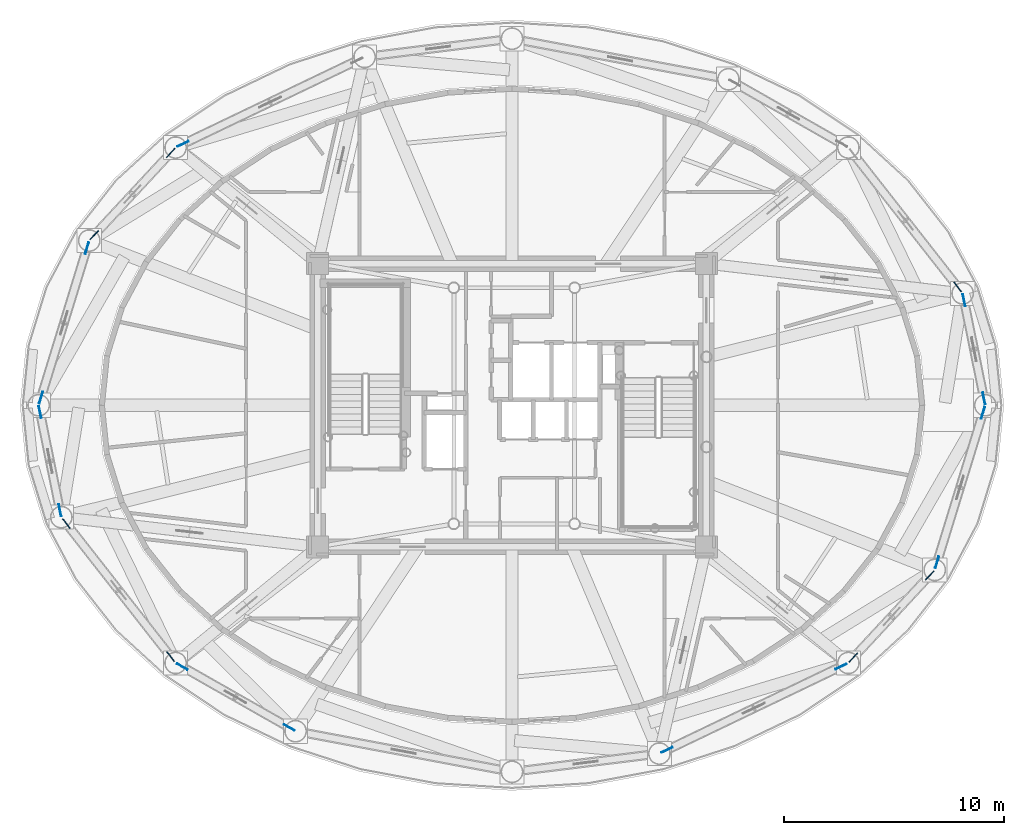
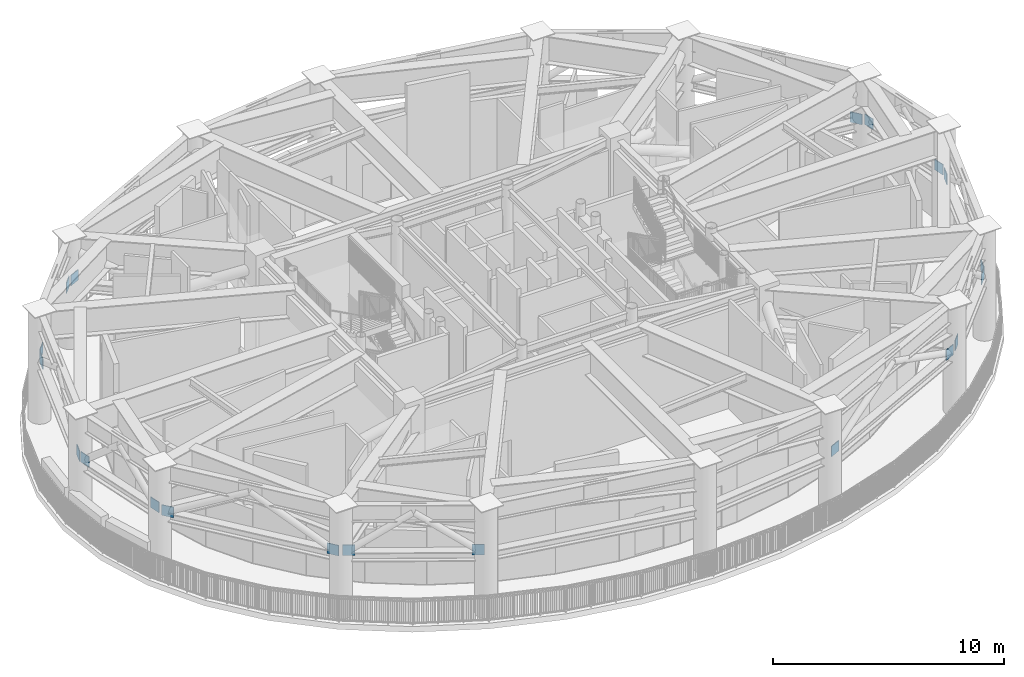
# One storey, part 6 of 17: 20 plates.
"""IFC4 building model written with IfcOpenShell, lengths in metres."""

from ifc_helpers import new_model, si_unit, direction, frame, origin, origin_2d, place, context, subcontext, project, spatial, rectangle, extrude, source, transform, mapped, material, layer, layer_set, type_object, element, save


model = new_model("IFC4")

# Units and contexts
model_context = context("Model", 3, precision=1e-05, world=origin(), true_north=direction((0.0, 1.0)))
body_context = subcontext(model_context, "Body", "Model", "MODEL_VIEW")
ifc_project = project(units=[si_unit("LENGTHUNIT", "METRE"), si_unit("AREAUNIT", "SQUARE_METRE"), si_unit("VOLUMEUNIT", "CUBIC_METRE"), si_unit("PLANEANGLEUNIT", "RADIAN"), si_unit("MASSUNIT", "GRAM", prefix="KILO")], contexts=[model_context])

# Site, building, storey
site_placement = place(None, origin())
site = spatial("IfcSite", under=ifc_project, at=site_placement, CompositionType="ELEMENT")
building_placement = place(site_placement, origin())
building = spatial("IfcBuilding", under=site, at=building_placement, Name="Linh Dai School and Residence Tower", CompositionType="ELEMENT")
storey_placement = place(building_placement, frame((0.0, 0.0, 318.0)))
storey = spatial("IfcBuildingStorey", under=building, at=storey_placement, Name="L79", CompositionType="ELEMENT", Elevation=318.0)

# Plates
ifc_material = material(Name="Structural Steel S355JR", Category="steel")
ifc_layer = layer(ifc_material, 0.0400390625)
ifc_layer_set = layer_set([ifc_layer], Name="Structural Steel S355JR")
plate_type = type_object("IfcPlateType", Name="PLT-GP1", PredefinedType="USERDEFINED", material=ifc_layer_set)
shared_shape = source(origin(), body_context, "Body", "SweptSolid", [
    extrude(rectangle(XDim=0.550048828125, YDim=0.0400390625, at=origin_2d()), origin(), (0.0, 0.0, 1.0), 0.550048828125),
])
for number, where, z_axis, x_axis, name in (
    (1, (57.487060546875, 27.311279296875, 3.0498046875), (0.0, 0.0, 1.0), (-0.198437226319, 0.980113599136, 0.0), "L79 Belt Truss BT4 Root End Gusset 01A"),
    (2, (56.58154296875, 31.783203125, 3.0498046875), (0.0, 0.0, 1.0), (-0.198437226319, 0.980113599136, 0.0), "L79 Belt Truss BT4 Root End Gusset 01B"),
    (3, (56.2900390625, 32.385986328125, 2.97265625), (0.0, 0.0, 1.0), (-0.616871256909, 0.787064071343, 0.0), "L79 Belt Truss BT4 Root End Gusset 02A"),
    (4, (21.02734375, 38.897705078125, 2.9541015625), (0.0, 0.0, 1.0), (-0.901725774799, -0.432308485994, 0.0), "L79 Belt Truss BT4 Root End Gusset 06B"),
    (5, (20.45947265625, 38.490478515625, 3.033203125), (0.0, 0.0, 1.0), (-0.68039193112, -0.732848429122, 0.0), "L79 Belt Truss BT4 Root End Gusset 07A"),
    (6, (16.979248046875, 34.7421875, 3.033203125), (0.0, 0.0, 1.0), (-0.68039193112, -0.732848429122, 0.0), "L79 Belt Truss BT4 Root End Gusset 07B"),
    (7, (16.64697265625, 34.151123046875, 2.98388671875), (0.0, 0.0, 1.0), (-0.29366585486, -0.955908136637, 0.0), "L79 Belt Truss BT4 Root End Gusset 08A"),
    (8, (14.556884765625, 27.34814453125, 2.98388671875), (0.0, 0.0, 1.0), (-0.29366585486, -0.955908136637, 0.0), "L79 Belt Truss BT4 Root End Gusset 08B"),
    (9, (14.512939453125, 26.688720703125, 3.0498046875), (0.0, 0.0, 1.0), (0.198437226319, -0.980113599136, 0.0), "L79 Belt Truss BT4 Root End Gusset 09A"),
    (10, (15.41845703125, 22.216796875, 3.0498046875), (0.0, 0.0, 1.0), (0.198437226319, -0.980113599136, 0.0), "L79 Belt Truss BT4 Root End Gusset 09B"),
    (11, (15.7099609375, 21.614013671875, 2.97265625), (0.0, 0.0, 1.0), (0.616871256909, -0.787064071343, 0.0), "L79 Belt Truss BT4 Root End Gusset 10A"),
    (12, (20.456298828125, 15.558349609375, 2.97265625), (0.0, 0.0, 1.0), (0.616871256909, -0.787064071343, 0.0), "L79 Belt Truss BT4 Root End Gusset 10B"),
    (13, (20.981689453125, 15.097900390625, 3.01953125), (0.0, 0.0, 1.0), (0.86927465453, -0.494329419508, 0.0), "L79 Belt Truss BT4 Root End Gusset 11A"),
    (14, (25.848876953125, 12.330078125, 3.01953125), (0.0, 0.0, 1.0), (0.86927465453, -0.494329419508, 0.0), "L79 Belt Truss BT4 Root End Gusset 11B"),
    (15, (43.054931640625, 11.306396484375, 2.9541015625), (0.0, 0.0, 1.0), (0.901725774799, 0.432308485994, 0.0), "L79 Belt Truss BT4 Root End Gusset 14A"),
    (16, (50.97265625, 15.102294921875, 2.9541015625), (0.0, 0.0, 1.0), (0.901725774799, 0.432308485994, 0.0), "L79 Belt Truss BT4 Root End Gusset 14B"),
    (17, (51.54052734375, 15.509521484375, 3.033203125), (0.0, 0.0, 1.0), (0.68039193112, 0.732848429122, 0.0), "L79 Belt Truss BT4 Root End Gusset 15A"),
    (18, (55.020751953125, 19.2578125, 3.033203125), (0.0, 0.0, 1.0), (0.68039193112, 0.732848429122, 0.0), "L79 Belt Truss BT4 Root End Gusset 15B"),
    (19, (55.35302734375, 19.848876953125, 2.98388671875), (0.0, 0.0, 1.0), (0.29366585486, 0.955908136637, 0.0), "L79 Belt Truss BT4 Root End Gusset 16A"),
    (20, (57.443115234375, 26.65185546875, 2.98388671875), (0.0, 0.0, 1.0), (0.29366585486, 0.955908136637, 0.0), "L79 Belt Truss BT4 Root End Gusset 16B"),
):
    element("IfcPlate", number, at=place(storey_placement, frame(where, z_axis=z_axis, x_axis=x_axis)), inside=storey, type_object=plate_type, Name=name, ObjectType="GUSSET PLATE", PredefinedType="USERDEFINED", context=body_context, shape_type="MappedRepresentation", body=[
        mapped(shared_shape, transform((0.0, 0.0, 0.0), x_axis=(1.0, 0.0, 0.0), y_axis=(0.0, 1.0, 0.0), z_axis=(0.0, 0.0, 1.0), scale=1.0)),
    ])

save(model, "model.ifc")
